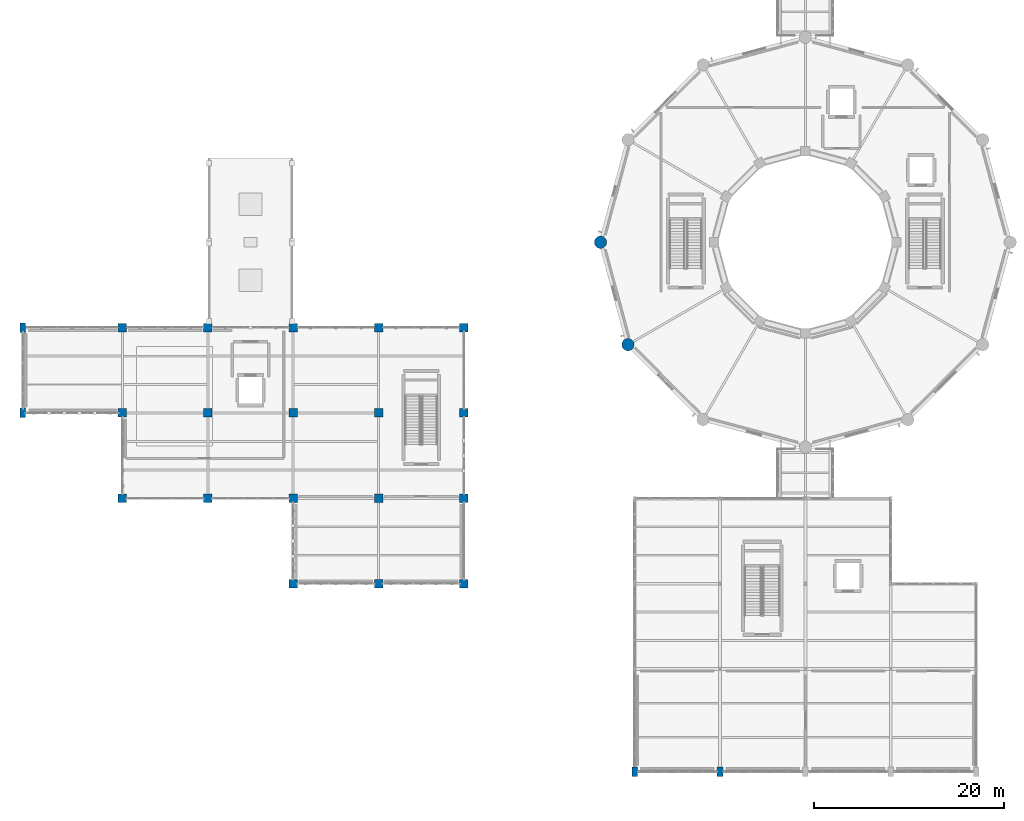
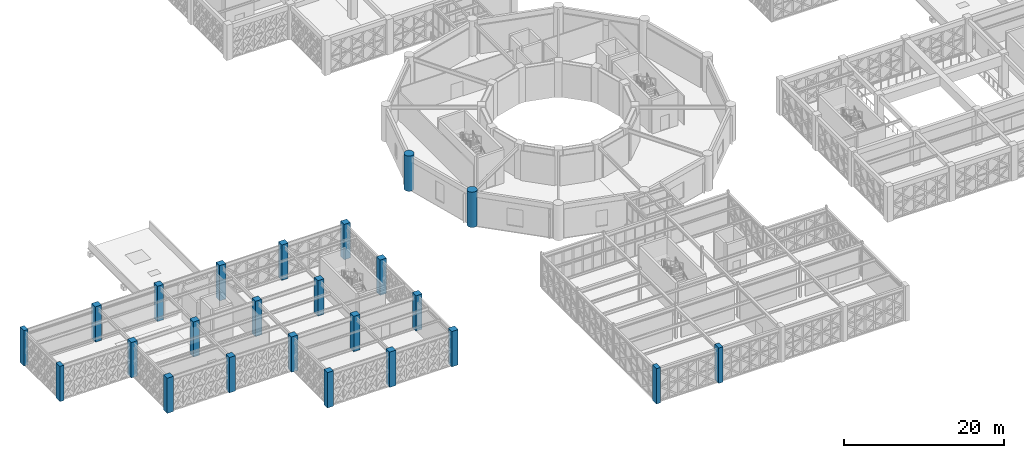
# One storey, part 1 of 155: 24 columns.
"""IFC4 building model written with IfcOpenShell, lengths in metres."""

from ifc_helpers import new_model, si_unit, direction, frame, origin, origin_2d, place, context, subcontext, project, spatial, rectangle, circle, extrude, material, material_profile, profile_set, type_object, element, save


model = new_model("IFC4")

# Units and contexts
model_context = context("Model", 3, precision=1e-05, world=origin(), true_north=direction((0.0, 1.0)))
body_context = subcontext(model_context, "Body", "Model", "MODEL_VIEW")
ifc_project = project(units=[si_unit("LENGTHUNIT", "METRE"), si_unit("AREAUNIT", "SQUARE_METRE"), si_unit("VOLUMEUNIT", "CUBIC_METRE"), si_unit("PLANEANGLEUNIT", "RADIAN"), si_unit("MASSUNIT", "GRAM", prefix="KILO")], contexts=[model_context])

# Site, building, storey
site_placement = place(None, origin())
site = spatial("IfcSite", under=ifc_project, at=site_placement, CompositionType="ELEMENT")
building_placement = place(site_placement, origin())
building = spatial("IfcBuilding", under=site, at=building_placement, Name="Haizhuo Lancet Aquarium", CompositionType="ELEMENT")
storey_placement = place(building_placement, frame((0.0, 0.0, 10.800048828125)))
storey = spatial("IfcBuildingStorey", under=building, at=storey_placement, Name="L02", CompositionType="ELEMENT", Elevation=10.800048828125)

# Columns
ifc_material_1 = material(Name="Concrete C50/60", Category="concrete")
ifc_material_profile_1 = material_profile(ifc_material_1, circle(Radius=0.64990234375, at=origin_2d()), Name="RC-DC 1300")
ifc_profile_set_1 = profile_set([ifc_material_profile_1], Name="Concrete C50/60")
column_type_1 = type_object("IfcColumnType", Name="COL-DC-1300", PredefinedType="COLUMN", material=ifc_profile_set_1)
for number, where, z_axis, x_axis, name in (
    (1, (-21.60009765625, 0.0, 0.0), (0.0, 0.0, 1.0), (-1.0, 0.0, 0.0), "L02 column V1-COL-007"),
    (2, (-18.7060546875, -10.800048828125, 0.0), (0.0, 0.0, 1.0), (-0.866025403784, -0.5, 0.0), "L02 column V1-COL-008"),
):
    element("IfcColumn", number, at=place(storey_placement, frame(where, z_axis=z_axis, x_axis=x_axis)), inside=storey, type_object=column_type_1, Name=name, PredefinedType="COLUMN", context=body_context, shape_type="SweptSolid", body=[
        extrude(circle(Radius=0.64990234375, at=origin_2d()), origin(), (0.0, 0.0, 1.0), 5.39990234375),
    ])
ifc_material_2 = material(Name="Concrete C40/50", Category="concrete")
ifc_material_profile_2 = material_profile(ifc_material_2, rectangle(XDim=0.89990234375, YDim=0.89990234375, at=origin_2d()), Name="RC-COL 900x900")
ifc_profile_set_2 = profile_set([ifc_material_profile_2], Name="Concrete C40/50")
column_type_2 = type_object("IfcColumnType", Name="COL-RC-900", PredefinedType="COLUMN", material=ifc_profile_set_2)
for number, where, z_axis, x_axis, name in (
    (3, (-72.0, -27.0, 0.0), (0.0, 0.0, 1.0), (1.0, 0.0, 0.0), "L02 column V6-COL-110"),
    (4, (-72.0, -18.0, 0.0), (0.0, 0.0, 1.0), (1.0, 0.0, 0.0), "L02 column V6-COL-111"),
    (5, (-72.0, -9.0, 0.0), (0.0, 0.0, 1.0), (1.0, 0.0, 0.0), "L02 column V6-COL-112"),
    (6, (-63.0, -27.0, 0.0), (0.0, 0.0, 1.0), (1.0, 0.0, 0.0), "L02 column V6-COL-113"),
    (7, (-63.0, -18.0, 0.0), (0.0, 0.0, 1.0), (1.0, 0.0, 0.0), "L02 column V6-COL-114"),
    (8, (-63.0, -9.0, 0.0), (0.0, 0.0, 1.0), (1.0, 0.0, 0.0), "L02 column V6-COL-115"),
    (9, (-54.0, -36.0, 0.0), (0.0, 0.0, 1.0), (1.0, 0.0, 0.0), "L02 column V6-COL-116"),
    (10, (-54.0, -27.0, 0.0), (0.0, 0.0, 1.0), (1.0, 0.0, 0.0), "L02 column V6-COL-117"),
    (11, (-54.0, -18.0, 0.0), (0.0, 0.0, 1.0), (1.0, 0.0, 0.0), "L02 column V6-COL-118"),
    (12, (-54.0, -9.0, 0.0), (0.0, 0.0, 1.0), (1.0, 0.0, 0.0), "L02 column V6-COL-119"),
    (13, (-45.0, -36.0, 0.0), (0.0, 0.0, 1.0), (1.0, 0.0, 0.0), "L02 column V6-COL-120"),
    (14, (-45.0, -27.0, 0.0), (0.0, 0.0, 1.0), (1.0, 0.0, 0.0), "L02 column V6-COL-121"),
    (15, (-45.0, -18.0, 0.0), (0.0, 0.0, 1.0), (1.0, 0.0, 0.0), "L02 column V6-COL-122"),
    (16, (-45.0, -9.0, 0.0), (0.0, 0.0, 1.0), (1.0, 0.0, 0.0), "L02 column V6-COL-123"),
    (17, (-36.0, -36.0, 0.0), (0.0, 0.0, 1.0), (1.0, 0.0, 0.0), "L02 column V6-COL-124"),
    (18, (-36.0, -27.0, 0.0), (0.0, 0.0, 1.0), (1.0, 0.0, 0.0), "L02 column V6-COL-125"),
    (19, (-36.0, -18.0, 0.0), (0.0, 0.0, 1.0), (1.0, 0.0, 0.0), "L02 column V6-COL-126"),
    (20, (-36.0, -9.0, 0.0), (0.0, 0.0, 1.0), (1.0, 0.0, 0.0), "L02 column V6-COL-127"),
):
    element("IfcColumn", number, at=place(storey_placement, frame(where, z_axis=z_axis, x_axis=x_axis)), inside=storey, type_object=column_type_2, Name=name, PredefinedType="COLUMN", context=body_context, shape_type="SweptSolid", body=[
        extrude(rectangle(XDim=0.89990234375, YDim=0.89990234375, at=origin_2d()), origin(), (0.0, 0.0, 1.0), 5.39990234375),
    ])
ifc_material_3 = material(Name="Concrete C45/55", Category="concrete")
ifc_material_profile_3 = material_profile(ifc_material_3, rectangle(XDim=0.60009765625, YDim=1.0, at=origin_2d()), Name="RC-PIL 600x1000")
ifc_profile_set_3 = profile_set([ifc_material_profile_3], Name="Concrete C45/55")
column_type_3 = type_object("IfcColumnType", Name="PIL-RC-600x1000", PredefinedType="PILASTER", material=ifc_profile_set_3)
for number, where, z_axis, x_axis, name in (
    (21, (-18.0, -55.800048828125, 0.0), (0.0, 0.0, 1.0), (1.0, 0.0, 0.0), "L02 column V4-COL-066"),
    (22, (-9.0, -55.800048828125, 0.0), (0.0, 0.0, 1.0), (1.0, 0.0, 0.0), "L02 column V4-COL-070"),
    (23, (-82.5, -18.0, 0.0), (0.0, 0.0, 1.0), (1.0, 0.0, 0.0), "L02 column V6-COL-108"),
    (24, (-82.5, -9.0, 0.0), (0.0, 0.0, 1.0), (1.0, 0.0, 0.0), "L02 column V6-COL-109"),
):
    element("IfcColumn", number, at=place(storey_placement, frame(where, z_axis=z_axis, x_axis=x_axis)), inside=storey, type_object=column_type_3, Name=name, PredefinedType="PILASTER", context=body_context, shape_type="SweptSolid", body=[
        extrude(rectangle(XDim=0.60009765625, YDim=1.0, at=origin_2d()), origin(), (0.0, 0.0, 1.0), 5.39990234375),
    ])

save(model, "model.ifc")
